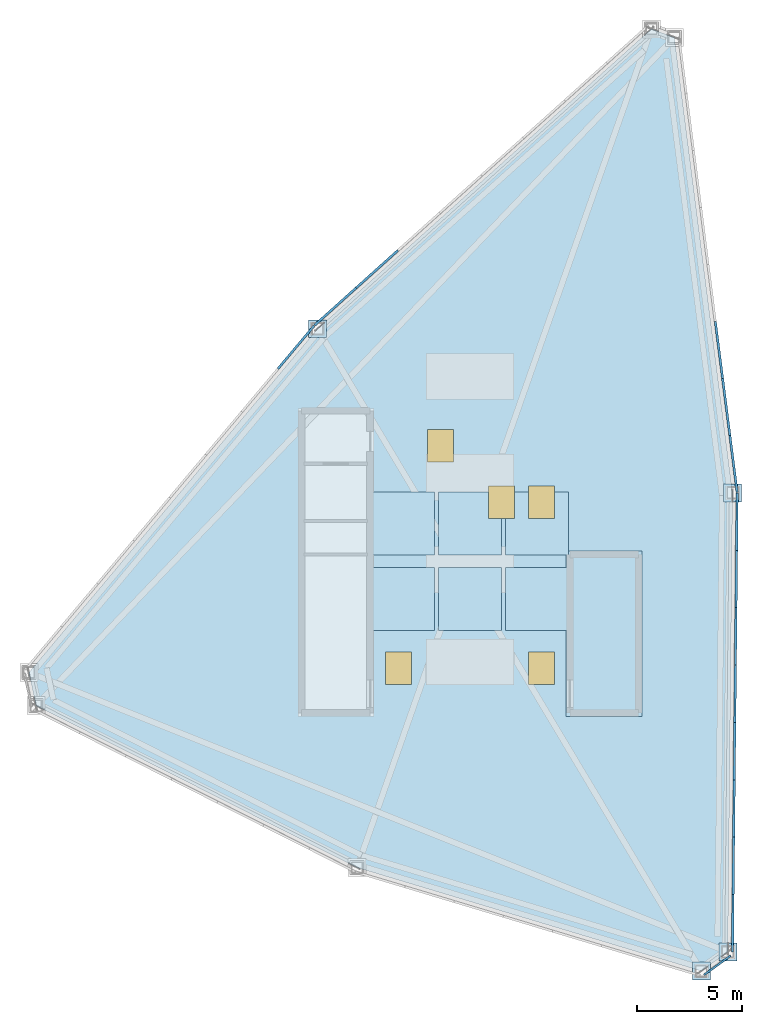
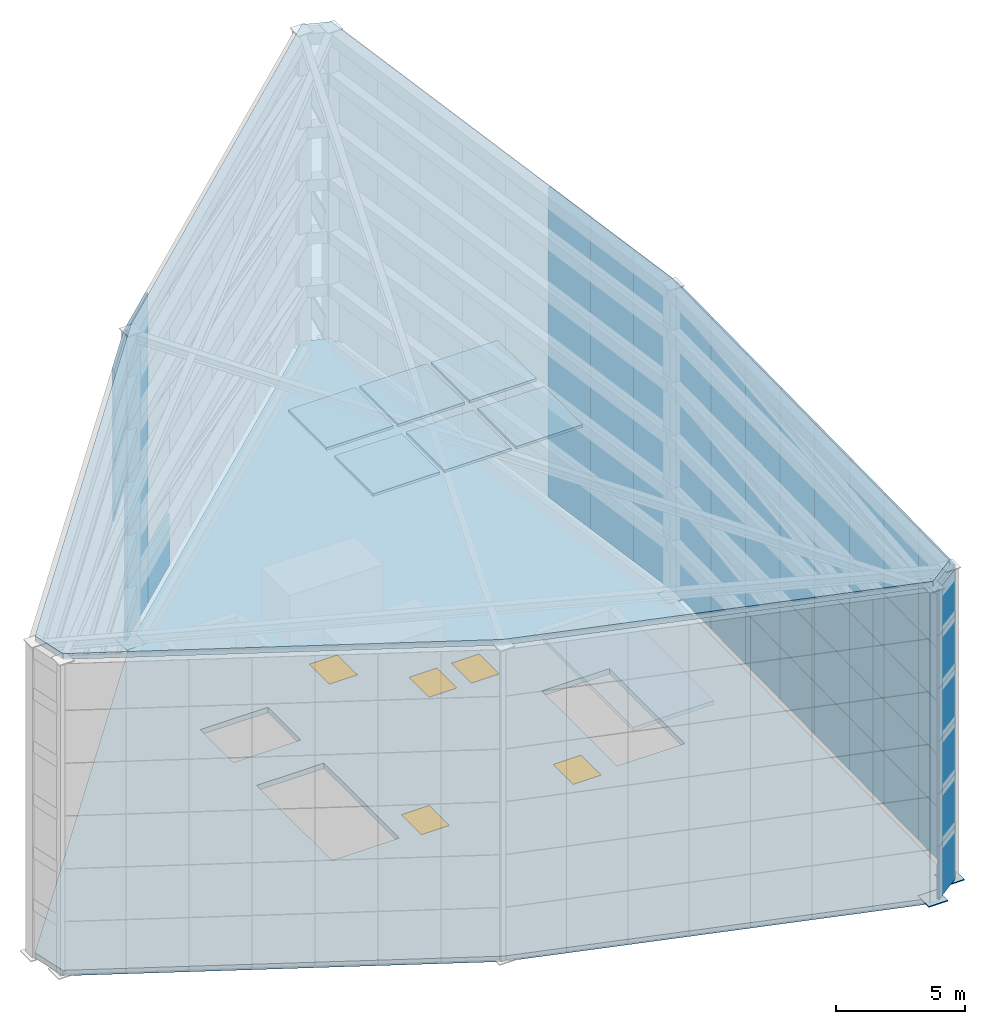
# One storey, part 3 of 9: 92 plates, 5 windows, 3 slabs, 5 openings.
"""IFC4 building model written with IfcOpenShell, lengths in metres."""

from ifc_helpers import new_model, si_unit, direction, frame, origin, origin_2d, place, context, subcontext, project, spatial, polyline, rectangle, outline, extrude, source, transform, mapped, material, layer, layer_set, type_object, element, fill, save


model = new_model("IFC4")

# Units and contexts
model_context = context("Model", 3, precision=1e-05, world=origin(), true_north=direction((0.0, 1.0)))
body_context = subcontext(model_context, "Body", "Model", "MODEL_VIEW")
ifc_project = project(units=[si_unit("LENGTHUNIT", "METRE"), si_unit("AREAUNIT", "SQUARE_METRE"), si_unit("VOLUMEUNIT", "CUBIC_METRE"), si_unit("PLANEANGLEUNIT", "RADIAN"), si_unit("MASSUNIT", "GRAM", prefix="KILO")], contexts=[model_context])

# Site, building, storey
site_placement = place(None, origin())
site = spatial("IfcSite", under=ifc_project, at=site_placement, CompositionType="ELEMENT")
building_placement = place(site_placement, origin())
building = spatial("IfcBuilding", under=site, at=building_placement, Name="Olszyna Solenne Hotel", CompositionType="ELEMENT")
storey_placement = place(building_placement, frame((0.0, 0.0, 295.0)))
storey = spatial("IfcBuildingStorey", under=building, at=storey_placement, Name="Roof Crown", CompositionType="ELEMENT", Elevation=295.0)

# Slabs
ifc_material_1 = material(Name="Concrete C40/50", Category="concrete")
ifc_layer_1 = layer(ifc_material_1, 0.18994140625, Name="Concrete C40/50")
ifc_layer_set_1 = layer_set([ifc_layer_1], Name="Concrete C40/50")
slab_type_1 = type_object("IfcSlabType", Name="SL-LN190", PredefinedType="LANDING", material=ifc_layer_set_1)
slab_1_placement = place(storey_placement, frame((0.0, 0.0, 2.800048828125)))
element("IfcSlab", 1, at=slab_1_placement, inside=storey, type_object=slab_type_1, Name="Stair ST2 bulkhead top cap slab SL-CRN-ST2", PredefinedType="LANDING", context=body_context, shape_type="SweptSolid", body=[
    extrude(outline(polyline([(42.580078125, 19.199951171875), (46.199951171875, 19.199951171875), (46.199951171875, 27.10009765625), (42.580078125, 27.10009765625), (42.580078125, 19.199951171875)])), origin(), (0.0, 0.0, 1.0), 0.18994140625),
])
ifc_material_2 = material(Name="Concrete C50/60", Category="concrete")
ifc_layer_2 = layer(ifc_material_2, 0.280029296875, Name="Concrete C50/60")
ifc_layer_set_2 = layer_set([ifc_layer_2], Name="Concrete C50/60")
slab_type_2 = type_object("IfcSlabType", Name="SL-OB280", PredefinedType="FLOOR", material=ifc_layer_set_2)
slab_2_placement = place(storey_placement, frame((0.0, 0.0, 14.719970703125)))
element("IfcSlab", 2, at=slab_2_placement, inside=storey, type_object=slab_type_2, Name="Crown structural top cap deck SL-CRN-347", PredefinedType="FLOOR", context=body_context, shape_type="SweptSolid", body=[
    extrude(outline(polyline([(47.73046875, 51.541015625), (46.6376953125, 51.9462890625), (30.739990234375, 37.668212890625), (16.998779296875, 21.30419921875), (17.33740234375, 19.724609375), (32.621337890625, 12.012451171875), (49.016845703125, 7.0869140625), (50.27880859375, 7.9970703125), (50.502197265625, 29.856689453125), (47.73046875, 51.541015625)])), origin(), (0.0, 0.0, 1.0), 0.280029296875),
])

# Slab, openings, windows
ifc_layer_3 = layer(ifc_material_2, 0.260009765625, Name="Concrete C50/60")
ifc_layer_set_3 = layer_set([ifc_layer_3], Name="Concrete C50/60")
slab_type_3 = type_object("IfcSlabType", Name="SL-RF260", PredefinedType="ROOF", material=ifc_layer_set_3)
slab_3_placement = place(storey_placement, frame((0.0, 0.0, -0.260009765625)))
slab_3 = element("IfcSlab", 3, at=slab_3_placement, inside=storey, type_object=slab_type_3, Name="Main tower roof deck slab SL-L77-RF", PredefinedType="ROOF", context=body_context, shape_type="SweptSolid", body=[
    extrude(outline(polyline([(47.73046875, 51.541015625), (46.6376953125, 51.9462890625), (30.739990234375, 37.668212890625), (16.998779296875, 21.30419921875), (17.33740234375, 19.724609375), (32.621337890625, 12.012451171875), (49.016845703125, 7.0869140625), (50.27880859375, 7.9970703125), (50.502197265625, 29.856689453125), (47.73046875, 51.541015625)]), holes=[polyline([(30.10009765625, 20.949951171875), (33.1201171875, 20.949951171875), (33.1201171875, 26.800048828125), (30.10009765625, 26.800048828125), (30.10009765625, 20.949951171875)]), polyline([(42.8798828125, 20.949951171875), (45.89990234375, 20.949951171875), (45.89990234375, 26.800048828125), (42.8798828125, 26.800048828125), (42.8798828125, 20.949951171875)]), polyline([(30.10009765625, 28.60009765625), (33.1201171875, 28.60009765625), (33.1201171875, 31.159912109375), (30.10009765625, 31.159912109375), (30.10009765625, 28.60009765625)]), polyline([(33.97509765625, 20.72509765625), (35.22509765625, 20.72509765625), (35.22509765625, 22.27490234375), (33.97509765625, 22.27490234375), (33.97509765625, 20.72509765625)]), polyline([(40.77490234375, 20.72509765625), (42.02490234375, 20.72509765625), (42.02490234375, 22.27490234375), (40.77490234375, 22.27490234375), (40.77490234375, 20.72509765625)]), polyline([(35.97509765625, 31.324951171875), (37.22509765625, 31.324951171875), (37.22509765625, 32.875), (35.97509765625, 32.875), (35.97509765625, 31.324951171875)]), polyline([(38.875, 28.625), (40.125, 28.625), (40.125, 30.175048828125), (38.875, 30.175048828125), (38.875, 28.625)]), polyline([(40.77490234375, 28.625), (42.02490234375, 28.625), (42.02490234375, 30.175048828125), (40.77490234375, 30.175048828125), (40.77490234375, 28.625)])]), origin(), (0.0, 0.0, 1.0), 0.260009765625),
])
opening_1_placement = place(slab_3_placement, frame((34.60009765625, 21.5, 0.0)))
opening_1 = element("IfcOpeningElement", 4, at=opening_1_placement, cuts=slab_3, Name="Opening RH-CRN-01", PredefinedType="OPENING", context=body_context, shape_type="SweptSolid", body=[
    extrude(rectangle(XDim=1.25, YDim=1.550048828125, at=origin_2d()), origin(), (0.0, 0.0, 1.0), 0.260009765625),
])
opening_2_placement = place(slab_3_placement, frame((41.39990234375, 21.5, 0.0)))
opening_2 = element("IfcOpeningElement", 5, at=opening_2_placement, cuts=slab_3, Name="Opening RH-CRN-02", PredefinedType="OPENING", context=body_context, shape_type="SweptSolid", body=[
    extrude(rectangle(XDim=1.25, YDim=1.550048828125, at=origin_2d()), origin(), (0.0, 0.0, 1.0), 0.260009765625),
])
opening_3_placement = place(slab_3_placement, frame((36.60009765625, 32.10009765625, 0.0)))
opening_3 = element("IfcOpeningElement", 6, at=opening_3_placement, cuts=slab_3, Name="Opening RH-CRN-03", PredefinedType="OPENING", context=body_context, shape_type="SweptSolid", body=[
    extrude(rectangle(XDim=1.25, YDim=1.550048828125, at=origin_2d()), origin(), (0.0, 0.0, 1.0), 0.260009765625),
])
opening_4_placement = place(slab_3_placement, frame((39.5, 29.39990234375, 0.0)))
opening_4 = element("IfcOpeningElement", 7, at=opening_4_placement, cuts=slab_3, Name="Opening RH-CRN-04", PredefinedType="OPENING", context=body_context, shape_type="SweptSolid", body=[
    extrude(rectangle(XDim=1.25, YDim=1.550048828125, at=origin_2d()), origin(), (0.0, 0.0, 1.0), 0.260009765625),
])
opening_5_placement = place(slab_3_placement, frame((41.39990234375, 29.39990234375, 0.0)))
opening_5 = element("IfcOpeningElement", 8, at=opening_5_placement, cuts=slab_3, Name="Opening RH-CRN-05", PredefinedType="OPENING", context=body_context, shape_type="SweptSolid", body=[
    extrude(rectangle(XDim=1.25, YDim=1.550048828125, at=origin_2d()), origin(), (0.0, 0.0, 1.0), 0.260009765625),
])
ifc_material_3 = material(Name="Anodised bronze aluminium", Category="aluminium")
window_type = type_object("IfcWindowType", Name="SK-RH1", PartitioningType="SINGLE_PANEL", PredefinedType="SKYLIGHT", material=ifc_material_3)
window_1_placement = place(opening_1_placement, frame((0.0, 0.0, 0.2099609375)))
window_1 = element("IfcWindow", 9, at=window_1_placement, inside=storey, type_object=window_type, Name="Smoke-vent and overrun roof hatch SK-RH1 RH-CRN-01", OverallHeight=1.550048828125, OverallWidth=1.25, PartitioningType="SINGLE_PANEL", PredefinedType="SKYLIGHT", context=body_context, shape_type="SweptSolid", body=[
    extrude(rectangle(XDim=1.25, YDim=1.550048828125, at=origin_2d()), origin(), (0.0, 0.0, 1.0), 0.050048828125),
])
fill(opening_1, window_1)
window_2_placement = place(opening_2_placement, frame((0.0, 0.0, 0.2099609375)))
window_2 = element("IfcWindow", 10, at=window_2_placement, inside=storey, type_object=window_type, Name="Smoke-vent and overrun roof hatch SK-RH1 RH-CRN-02", OverallHeight=1.550048828125, OverallWidth=1.25, PartitioningType="SINGLE_PANEL", PredefinedType="SKYLIGHT", context=body_context, shape_type="SweptSolid", body=[
    extrude(rectangle(XDim=1.25, YDim=1.550048828125, at=origin_2d()), origin(), (0.0, 0.0, 1.0), 0.050048828125),
])
fill(opening_2, window_2)
window_3_placement = place(opening_3_placement, frame((0.0, 0.0, 0.2099609375)))
window_3 = element("IfcWindow", 11, at=window_3_placement, inside=storey, type_object=window_type, Name="Smoke-vent and overrun roof hatch SK-RH1 RH-CRN-03", OverallHeight=1.550048828125, OverallWidth=1.25, PartitioningType="SINGLE_PANEL", PredefinedType="SKYLIGHT", context=body_context, shape_type="SweptSolid", body=[
    extrude(rectangle(XDim=1.25, YDim=1.550048828125, at=origin_2d()), origin(), (0.0, 0.0, 1.0), 0.050048828125),
])
fill(opening_3, window_3)
window_4_placement = place(opening_4_placement, frame((0.0, 0.0, 0.2099609375)))
window_4 = element("IfcWindow", 12, at=window_4_placement, inside=storey, type_object=window_type, Name="Smoke-vent and overrun roof hatch SK-RH1 RH-CRN-04", OverallHeight=1.550048828125, OverallWidth=1.25, PartitioningType="SINGLE_PANEL", PredefinedType="SKYLIGHT", context=body_context, shape_type="SweptSolid", body=[
    extrude(rectangle(XDim=1.25, YDim=1.550048828125, at=origin_2d()), origin(), (0.0, 0.0, 1.0), 0.050048828125),
])
fill(opening_4, window_4)
window_5_placement = place(opening_5_placement, frame((0.0, 0.0, 0.2099609375)))
window_5 = element("IfcWindow", 13, at=window_5_placement, inside=storey, type_object=window_type, Name="Smoke-vent and overrun roof hatch SK-RH1 RH-CRN-05", OverallHeight=1.550048828125, OverallWidth=1.25, PartitioningType="SINGLE_PANEL", PredefinedType="SKYLIGHT", context=body_context, shape_type="SweptSolid", body=[
    extrude(rectangle(XDim=1.25, YDim=1.550048828125, at=origin_2d()), origin(), (0.0, 0.0, 1.0), 0.050048828125),
])
fill(opening_5, window_5)

# Plates
ifc_material_4 = material(Name="Steel S460M", Category="steel")
plate_type_1 = type_object("IfcPlateType", Name="GP-BP1", PredefinedType="USERDEFINED", material=ifc_material_4)
shared_shape_1 = source(origin(), body_context, "Body", "SweptSolid", [
    extrude(rectangle(XDim=0.85009765625, YDim=0.85009765625, at=origin_2d()), origin(), (0.0, 0.0, 1.0), 0.050048828125),
])
for number, where, z_axis, x_axis, name in (
    (14, (30.739990234375, 37.668212890625, -0.0498046875), (0.0, 0.0, 1.0), (1.0, 0.0, 0.0), "Crown frame baseplate GP-BP1 BP-CF-03"),
    (15, (49.016845703125, 7.0869140625, -0.0498046875), (0.0, 0.0, 1.0), (1.0, 0.0, 0.0), "Crown frame baseplate GP-BP1 BP-CF-07"),
    (16, (50.27880859375, 7.9970703125, -0.0498046875), (0.0, 0.0, 1.0), (1.0, 0.0, 0.0), "Crown frame baseplate GP-BP1 BP-CF-08"),
    (17, (50.502197265625, 29.856689453125, -0.0498046875), (0.0, 0.0, 1.0), (1.0, 0.0, 0.0), "Crown frame baseplate GP-BP1 BP-CF-09"),
):
    element("IfcPlate", number, at=place(storey_placement, frame(where, z_axis=z_axis, x_axis=x_axis)), inside=storey, type_object=plate_type_1, Name=name, ObjectType="GUSSET_PLATE", PredefinedType="USERDEFINED", context=body_context, shape_type="MappedRepresentation", body=[
        mapped(shared_shape_1, transform((0.0, 0.0, 0.0), x_axis=(1.0, 0.0, 0.0), y_axis=(0.0, 1.0, 0.0), z_axis=(0.0, 0.0, 1.0), scale=1.0)),
    ])
plate_type_2 = type_object("IfcPlateType", Name="SC-RF1", PredefinedType="USERDEFINED", material=ifc_material_3)
shared_shape_2 = source(origin(), body_context, "Body", "SweptSolid", [
    extrude(rectangle(XDim=3.0, YDim=3.0, at=origin_2d()), origin(), (0.0, 0.0, 1.0), 0.1298828125),
])
for number, where, z_axis, x_axis, name in (
    (18, (34.800048828125, 24.800048828125, 14.675048828125), (0.0, 0.0, 1.0), (1.0, 0.0, 0.0), "Crown top acoustic weather-louvre grille SCR-TOP-01"),
    (19, (38.0, 24.800048828125, 14.675048828125), (0.0, 0.0, 1.0), (1.0, 0.0, 0.0), "Crown top acoustic weather-louvre grille SCR-TOP-02"),
    (20, (41.199951171875, 24.800048828125, 14.675048828125), (0.0, 0.0, 1.0), (1.0, 0.0, 0.0), "Crown top acoustic weather-louvre grille SCR-TOP-03"),
    (21, (34.800048828125, 28.39990234375, 14.675048828125), (0.0, 0.0, 1.0), (1.0, 0.0, 0.0), "Crown top acoustic weather-louvre grille SCR-TOP-04"),
    (22, (38.0, 28.39990234375, 14.675048828125), (0.0, 0.0, 1.0), (1.0, 0.0, 0.0), "Crown top acoustic weather-louvre grille SCR-TOP-05"),
    (23, (41.199951171875, 28.39990234375, 14.675048828125), (0.0, 0.0, 1.0), (1.0, 0.0, 0.0), "Crown top acoustic weather-louvre grille SCR-TOP-06"),
):
    element("IfcPlate", number, at=place(storey_placement, frame(where, z_axis=z_axis, x_axis=x_axis)), inside=storey, type_object=plate_type_2, Name=name, ObjectType="SCREEN_PLATE", PredefinedType="USERDEFINED", context=body_context, shape_type="MappedRepresentation", body=[
        mapped(shared_shape_2, transform((0.0, 0.0, 0.0), x_axis=(1.0, 0.0, 0.0), y_axis=(0.0, 1.0, 0.0), z_axis=(0.0, 0.0, 1.0), scale=1.0)),
    ])
ifc_material_5 = material(Name="Terracotta cladding", Category="masonry")
plate_type_3 = type_object("IfcPlateType", Name="SC-CR1", PredefinedType="USERDEFINED", material=ifc_material_5)
shared_shape_3 = source(origin(), body_context, "Body", "SweptSolid", [
    extrude(rectangle(XDim=2.732666015625, YDim=0.110107421875, at=origin_2d()), origin(), (0.0, 0.0, 1.0), 2.47998046875),
])
for number, where, z_axis, x_axis, name in (
    (24, (50.7080078125, 28.48828125, 0.010009765625), (0.0, 0.0, 1.0), (-0.010297260602, -0.999946981807, 0.0), "Terracotta perforated crown screen panel SC-CR1 SCR-T1-001"),
    (25, (50.680419921875, 25.755859375, 0.010009765625), (0.0, 0.0, 1.0), (-0.010297260602, -0.999946981807, 0.0), "Terracotta perforated crown screen panel SC-CR1 SCR-T1-002"),
    (26, (50.65234375, 23.0234375, 0.010009765625), (0.0, 0.0, 1.0), (-0.010297260602, -0.999946981807, 0.0), "Terracotta perforated crown screen panel SC-CR1 SCR-T1-003"),
    (27, (50.62451171875, 20.291015625, 0.010009765625), (0.0, 0.0, 1.0), (-0.010297260602, -0.999946981807, 0.0), "Terracotta perforated crown screen panel SC-CR1 SCR-T1-004"),
    (28, (50.5966796875, 17.55859375, 0.010009765625), (0.0, 0.0, 1.0), (-0.010297260602, -0.999946981807, 0.0), "Terracotta perforated crown screen panel SC-CR1 SCR-T1-005"),
    (29, (50.568603515625, 14.825927734375, 0.010009765625), (0.0, 0.0, 1.0), (-0.010297260602, -0.999946981807, 0.0), "Terracotta perforated crown screen panel SC-CR1 SCR-T1-006"),
    (30, (50.540771484375, 12.093505859375, 0.010009765625), (0.0, 0.0, 1.0), (-0.010297260602, -0.999946981807, 0.0), "Terracotta perforated crown screen panel SC-CR1 SCR-T1-007"),
    (31, (50.512939453125, 9.361083984375, 0.010009765625), (0.0, 0.0, 1.0), (-0.010297260602, -0.999946981807, 0.0), "Terracotta perforated crown screen panel SC-CR1 SCR-T1-008"),
    (32, (50.7080078125, 28.48828125, 2.510009765625), (0.0, 0.0, 1.0), (-0.010297260602, -0.999946981807, 0.0), "Terracotta perforated crown screen panel SC-CR1 SCR-T2-009"),
    (33, (50.680419921875, 25.755859375, 2.510009765625), (0.0, 0.0, 1.0), (-0.010297260602, -0.999946981807, 0.0), "Terracotta perforated crown screen panel SC-CR1 SCR-T2-010"),
    (34, (50.65234375, 23.0234375, 2.510009765625), (0.0, 0.0, 1.0), (-0.010297260602, -0.999946981807, 0.0), "Terracotta perforated crown screen panel SC-CR1 SCR-T2-011"),
    (35, (50.62451171875, 20.291015625, 2.510009765625), (0.0, 0.0, 1.0), (-0.010297260602, -0.999946981807, 0.0), "Terracotta perforated crown screen panel SC-CR1 SCR-T2-012"),
    (36, (50.5966796875, 17.55859375, 2.510009765625), (0.0, 0.0, 1.0), (-0.010297260602, -0.999946981807, 0.0), "Terracotta perforated crown screen panel SC-CR1 SCR-T2-013"),
    (37, (50.568603515625, 14.825927734375, 2.510009765625), (0.0, 0.0, 1.0), (-0.010297260602, -0.999946981807, 0.0), "Terracotta perforated crown screen panel SC-CR1 SCR-T2-014"),
    (38, (50.540771484375, 12.093505859375, 2.510009765625), (0.0, 0.0, 1.0), (-0.010297260602, -0.999946981807, 0.0), "Terracotta perforated crown screen panel SC-CR1 SCR-T2-015"),
    (39, (50.512939453125, 9.361083984375, 2.510009765625), (0.0, 0.0, 1.0), (-0.010297260602, -0.999946981807, 0.0), "Terracotta perforated crown screen panel SC-CR1 SCR-T2-016"),
    (40, (50.7080078125, 28.48828125, 5.010009765625), (0.0, 0.0, 1.0), (-0.010297260602, -0.999946981807, 0.0), "Terracotta perforated crown screen panel SC-CR1 SCR-T3-017"),
    (41, (50.680419921875, 25.755859375, 5.010009765625), (0.0, 0.0, 1.0), (-0.010297260602, -0.999946981807, 0.0), "Terracotta perforated crown screen panel SC-CR1 SCR-T3-018"),
    (42, (50.65234375, 23.0234375, 5.010009765625), (0.0, 0.0, 1.0), (-0.010297260602, -0.999946981807, 0.0), "Terracotta perforated crown screen panel SC-CR1 SCR-T3-019"),
    (43, (50.62451171875, 20.291015625, 5.010009765625), (0.0, 0.0, 1.0), (-0.010297260602, -0.999946981807, 0.0), "Terracotta perforated crown screen panel SC-CR1 SCR-T3-020"),
    (44, (50.5966796875, 17.55859375, 5.010009765625), (0.0, 0.0, 1.0), (-0.010297260602, -0.999946981807, 0.0), "Terracotta perforated crown screen panel SC-CR1 SCR-T3-021"),
    (45, (50.568603515625, 14.825927734375, 5.010009765625), (0.0, 0.0, 1.0), (-0.010297260602, -0.999946981807, 0.0), "Terracotta perforated crown screen panel SC-CR1 SCR-T3-022"),
    (46, (50.540771484375, 12.093505859375, 5.010009765625), (0.0, 0.0, 1.0), (-0.010297260602, -0.999946981807, 0.0), "Terracotta perforated crown screen panel SC-CR1 SCR-T3-023"),
    (47, (50.512939453125, 9.361083984375, 5.010009765625), (0.0, 0.0, 1.0), (-0.010297260602, -0.999946981807, 0.0), "Terracotta perforated crown screen panel SC-CR1 SCR-T3-024"),
    (48, (50.7080078125, 28.48828125, 7.510009765625), (0.0, 0.0, 1.0), (-0.010297260602, -0.999946981807, 0.0), "Terracotta perforated crown screen panel SC-CR1 SCR-T4-025"),
    (49, (50.680419921875, 25.755859375, 7.510009765625), (0.0, 0.0, 1.0), (-0.010297260602, -0.999946981807, 0.0), "Terracotta perforated crown screen panel SC-CR1 SCR-T4-026"),
    (50, (50.65234375, 23.0234375, 7.510009765625), (0.0, 0.0, 1.0), (-0.010297260602, -0.999946981807, 0.0), "Terracotta perforated crown screen panel SC-CR1 SCR-T4-027"),
    (51, (50.62451171875, 20.291015625, 7.510009765625), (0.0, 0.0, 1.0), (-0.010297260602, -0.999946981807, 0.0), "Terracotta perforated crown screen panel SC-CR1 SCR-T4-028"),
    (52, (50.5966796875, 17.55859375, 7.510009765625), (0.0, 0.0, 1.0), (-0.010297260602, -0.999946981807, 0.0), "Terracotta perforated crown screen panel SC-CR1 SCR-T4-029"),
    (53, (50.568603515625, 14.825927734375, 7.510009765625), (0.0, 0.0, 1.0), (-0.010297260602, -0.999946981807, 0.0), "Terracotta perforated crown screen panel SC-CR1 SCR-T4-030"),
    (54, (50.540771484375, 12.093505859375, 7.510009765625), (0.0, 0.0, 1.0), (-0.010297260602, -0.999946981807, 0.0), "Terracotta perforated crown screen panel SC-CR1 SCR-T4-031"),
    (55, (50.512939453125, 9.361083984375, 7.510009765625), (0.0, 0.0, 1.0), (-0.010297260602, -0.999946981807, 0.0), "Terracotta perforated crown screen panel SC-CR1 SCR-T4-032"),
    (56, (50.7080078125, 28.48828125, 10.010009765625), (0.0, 0.0, 1.0), (-0.010297260602, -0.999946981807, 0.0), "Terracotta perforated crown screen panel SC-CR1 SCR-T5-033"),
    (57, (50.680419921875, 25.755859375, 10.010009765625), (0.0, 0.0, 1.0), (-0.010297260602, -0.999946981807, 0.0), "Terracotta perforated crown screen panel SC-CR1 SCR-T5-034"),
    (58, (50.65234375, 23.0234375, 10.010009765625), (0.0, 0.0, 1.0), (-0.010297260602, -0.999946981807, 0.0), "Terracotta perforated crown screen panel SC-CR1 SCR-T5-035"),
    (59, (50.62451171875, 20.291015625, 10.010009765625), (0.0, 0.0, 1.0), (-0.010297260602, -0.999946981807, 0.0), "Terracotta perforated crown screen panel SC-CR1 SCR-T5-036"),
    (60, (50.5966796875, 17.55859375, 10.010009765625), (0.0, 0.0, 1.0), (-0.010297260602, -0.999946981807, 0.0), "Terracotta perforated crown screen panel SC-CR1 SCR-T5-037"),
    (61, (50.568603515625, 14.825927734375, 10.010009765625), (0.0, 0.0, 1.0), (-0.010297260602, -0.999946981807, 0.0), "Terracotta perforated crown screen panel SC-CR1 SCR-T5-038"),
    (62, (50.540771484375, 12.093505859375, 10.010009765625), (0.0, 0.0, 1.0), (-0.010297260602, -0.999946981807, 0.0), "Terracotta perforated crown screen panel SC-CR1 SCR-T5-039"),
    (63, (50.512939453125, 9.361083984375, 10.010009765625), (0.0, 0.0, 1.0), (-0.010297260602, -0.999946981807, 0.0), "Terracotta perforated crown screen panel SC-CR1 SCR-T5-040"),
    (64, (49.85400390625, 36.660888671875, 0.010009765625), (0.0, 0.0, 1.0), (0.12671836439, -0.991938736075, 0.0), "Terracotta perforated crown screen panel SC-CR1 SCR-T1-246"),
    (65, (50.20068359375, 33.950439453125, 0.010009765625), (0.0, 0.0, 1.0), (0.12671836439, -0.991938736075, 0.0), "Terracotta perforated crown screen panel SC-CR1 SCR-T1-247"),
    (66, (50.547119140625, 31.239990234375, 0.010009765625), (0.0, 0.0, 1.0), (0.12671836439, -0.991938736075, 0.0), "Terracotta perforated crown screen panel SC-CR1 SCR-T1-248"),
    (67, (49.85400390625, 36.660888671875, 2.510009765625), (0.0, 0.0, 1.0), (0.12671836439, -0.991938736075, 0.0), "Terracotta perforated crown screen panel SC-CR1 SCR-T2-254"),
    (68, (50.20068359375, 33.950439453125, 2.510009765625), (0.0, 0.0, 1.0), (0.12671836439, -0.991938736075, 0.0), "Terracotta perforated crown screen panel SC-CR1 SCR-T2-255"),
    (69, (50.547119140625, 31.239990234375, 2.510009765625), (0.0, 0.0, 1.0), (0.12671836439, -0.991938736075, 0.0), "Terracotta perforated crown screen panel SC-CR1 SCR-T2-256"),
    (70, (49.85400390625, 36.660888671875, 5.010009765625), (0.0, 0.0, 1.0), (0.12671836439, -0.991938736075, 0.0), "Terracotta perforated crown screen panel SC-CR1 SCR-T3-262"),
    (71, (50.20068359375, 33.950439453125, 5.010009765625), (0.0, 0.0, 1.0), (0.12671836439, -0.991938736075, 0.0), "Terracotta perforated crown screen panel SC-CR1 SCR-T3-263"),
    (72, (50.547119140625, 31.239990234375, 5.010009765625), (0.0, 0.0, 1.0), (0.12671836439, -0.991938736075, 0.0), "Terracotta perforated crown screen panel SC-CR1 SCR-T3-264"),
    (73, (49.85400390625, 36.660888671875, 7.510009765625), (0.0, 0.0, 1.0), (0.12671836439, -0.991938736075, 0.0), "Terracotta perforated crown screen panel SC-CR1 SCR-T4-270"),
    (74, (50.20068359375, 33.950439453125, 7.510009765625), (0.0, 0.0, 1.0), (0.12671836439, -0.991938736075, 0.0), "Terracotta perforated crown screen panel SC-CR1 SCR-T4-271"),
    (75, (50.547119140625, 31.239990234375, 7.510009765625), (0.0, 0.0, 1.0), (0.12671836439, -0.991938736075, 0.0), "Terracotta perforated crown screen panel SC-CR1 SCR-T4-272"),
    (76, (49.85400390625, 36.660888671875, 10.010009765625), (0.0, 0.0, 1.0), (0.12671836439, -0.991938736075, 0.0), "Terracotta perforated crown screen panel SC-CR1 SCR-T5-278"),
    (77, (50.20068359375, 33.950439453125, 10.010009765625), (0.0, 0.0, 1.0), (0.12671836439, -0.991938736075, 0.0), "Terracotta perforated crown screen panel SC-CR1 SCR-T5-279"),
    (78, (50.547119140625, 31.239990234375, 10.010009765625), (0.0, 0.0, 1.0), (0.12671836439, -0.991938736075, 0.0), "Terracotta perforated crown screen panel SC-CR1 SCR-T5-280"),
):
    element("IfcPlate", number, at=place(storey_placement, frame(where, z_axis=z_axis, x_axis=x_axis)), inside=storey, type_object=plate_type_3, Name=name, ObjectType="SCREEN_PLATE", PredefinedType="USERDEFINED", context=body_context, shape_type="MappedRepresentation", body=[
        mapped(shared_shape_3, transform((0.0, 0.0, 0.0), x_axis=(1.0, 0.0, 0.0), y_axis=(0.0, 1.0, 0.0), z_axis=(0.0, 0.0, 1.0), scale=1.0)),
    ])
shared_shape_4 = source(origin(), body_context, "Body", "SweptSolid", [
    extrude(rectangle(XDim=2.732666015625, YDim=0.110107421875, at=origin_2d()), origin(), (0.0, 0.0, 1.0), 2.199951171875),
])
for number, where, z_axis, x_axis, name in (
    (79, (50.7080078125, 28.48828125, 12.51025390625), (0.0, 0.0, 1.0), (-0.010297260602, -0.999946981807, 0.0), "Terracotta perforated crown screen panel SC-CR1 SCR-T6-041"),
    (80, (50.680419921875, 25.755859375, 12.51025390625), (0.0, 0.0, 1.0), (-0.010297260602, -0.999946981807, 0.0), "Terracotta perforated crown screen panel SC-CR1 SCR-T6-042"),
    (81, (50.65234375, 23.0234375, 12.51025390625), (0.0, 0.0, 1.0), (-0.010297260602, -0.999946981807, 0.0), "Terracotta perforated crown screen panel SC-CR1 SCR-T6-043"),
    (82, (50.62451171875, 20.291015625, 12.51025390625), (0.0, 0.0, 1.0), (-0.010297260602, -0.999946981807, 0.0), "Terracotta perforated crown screen panel SC-CR1 SCR-T6-044"),
    (83, (50.5966796875, 17.55859375, 12.51025390625), (0.0, 0.0, 1.0), (-0.010297260602, -0.999946981807, 0.0), "Terracotta perforated crown screen panel SC-CR1 SCR-T6-045"),
    (84, (50.568603515625, 14.825927734375, 12.51025390625), (0.0, 0.0, 1.0), (-0.010297260602, -0.999946981807, 0.0), "Terracotta perforated crown screen panel SC-CR1 SCR-T6-046"),
    (85, (50.540771484375, 12.093505859375, 12.51025390625), (0.0, 0.0, 1.0), (-0.010297260602, -0.999946981807, 0.0), "Terracotta perforated crown screen panel SC-CR1 SCR-T6-047"),
    (86, (50.512939453125, 9.361083984375, 12.51025390625), (0.0, 0.0, 1.0), (-0.010297260602, -0.999946981807, 0.0), "Terracotta perforated crown screen panel SC-CR1 SCR-T6-048"),
    (87, (49.85400390625, 36.660888671875, 12.51025390625), (0.0, 0.0, 1.0), (0.12671836439, -0.991938736075, 0.0), "Terracotta perforated crown screen panel SC-CR1 SCR-T6-286"),
    (88, (50.20068359375, 33.950439453125, 12.51025390625), (0.0, 0.0, 1.0), (0.12671836439, -0.991938736075, 0.0), "Terracotta perforated crown screen panel SC-CR1 SCR-T6-287"),
    (89, (50.547119140625, 31.239990234375, 12.51025390625), (0.0, 0.0, 1.0), (0.12671836439, -0.991938736075, 0.0), "Terracotta perforated crown screen panel SC-CR1 SCR-T6-288"),
):
    element("IfcPlate", number, at=place(storey_placement, frame(where, z_axis=z_axis, x_axis=x_axis)), inside=storey, type_object=plate_type_3, Name=name, ObjectType="SCREEN_PLATE", PredefinedType="USERDEFINED", context=body_context, shape_type="MappedRepresentation", body=[
        mapped(shared_shape_4, transform((0.0, 0.0, 0.0), x_axis=(1.0, 0.0, 0.0), y_axis=(0.0, 1.0, 0.0), z_axis=(0.0, 0.0, 1.0), scale=1.0)),
    ])
plate_type_4 = type_object("IfcPlateType", Name="SC-CR2", PredefinedType="USERDEFINED", material=ifc_material_5)
shared_shape_5 = source(origin(), body_context, "Body", "SweptSolid", [
    extrude(rectangle(XDim=1.55615234375, YDim=0.090087890625, at=origin_2d()), origin(), (0.0, 0.0, 1.0), 2.47998046875),
])
for number, where, z_axis, x_axis, name in (
    (90, (49.776611328125, 7.363525390625, 0.010009765625), (0.0, 0.0, 1.0), (-0.811063818989, -0.584957674987, 0.0), "Terracotta perforated crown screen panel SC-CR2 SCR-T1-049"),
    (91, (49.776611328125, 7.363525390625, 2.510009765625), (0.0, 0.0, 1.0), (-0.811063818989, -0.584957674987, 0.0), "Terracotta perforated crown screen panel SC-CR2 SCR-T2-050"),
    (92, (49.776611328125, 7.363525390625, 5.010009765625), (0.0, 0.0, 1.0), (-0.811063818989, -0.584957674987, 0.0), "Terracotta perforated crown screen panel SC-CR2 SCR-T3-051"),
    (93, (49.776611328125, 7.363525390625, 7.510009765625), (0.0, 0.0, 1.0), (-0.811063818989, -0.584957674987, 0.0), "Terracotta perforated crown screen panel SC-CR2 SCR-T4-052"),
    (94, (49.776611328125, 7.363525390625, 10.010009765625), (0.0, 0.0, 1.0), (-0.811063818989, -0.584957674987, 0.0), "Terracotta perforated crown screen panel SC-CR2 SCR-T5-053"),
):
    element("IfcPlate", number, at=place(storey_placement, frame(where, z_axis=z_axis, x_axis=x_axis)), inside=storey, type_object=plate_type_4, Name=name, ObjectType="SCREEN_PLATE", PredefinedType="USERDEFINED", context=body_context, shape_type="MappedRepresentation", body=[
        mapped(shared_shape_5, transform((0.0, 0.0, 0.0), x_axis=(1.0, 0.0, 0.0), y_axis=(0.0, 1.0, 0.0), z_axis=(0.0, 0.0, 1.0), scale=1.0)),
    ])
shared_shape_6 = source(origin(), body_context, "Body", "SweptSolid", [
    extrude(rectangle(XDim=1.55615234375, YDim=0.090087890625, at=origin_2d()), origin(), (0.0, 0.0, 1.0), 2.199951171875),
])
plate_placement = place(storey_placement, frame((49.776611328125, 7.363525390625, 12.51025390625), z_axis=(0.0, 0.0, 1.0), x_axis=(-0.811063818989, -0.584957674987, 0.0)))
element("IfcPlate", 95, at=plate_placement, inside=storey, type_object=plate_type_4, Name="Terracotta perforated crown screen panel SC-CR2 SCR-T6-054", ObjectType="SCREEN_PLATE", PredefinedType="USERDEFINED", context=body_context, shape_type="MappedRepresentation", body=[
    mapped(shared_shape_6, transform((0.0, 0.0, 0.0), x_axis=(1.0, 0.0, 0.0), y_axis=(0.0, 1.0, 0.0), z_axis=(0.0, 0.0, 1.0), scale=1.0)),
])
shared_shape_7 = source(origin(), body_context, "Body", "SweptSolid", [
    extrude(rectangle(XDim=2.6708984375, YDim=0.110107421875, at=origin_2d()), origin(), (0.0, 0.0, 1.0), 2.47998046875),
])
for number, where, z_axis, x_axis, name in (
    (96, (29.712646484375, 36.786865234375, 7.510009765625), (0.0, 0.0, 1.0), (0.643054970475, 0.76582002125, 0.0), "Terracotta perforated crown screen panel SC-CR1 SCR-T4-176"),
    (97, (29.712646484375, 36.786865234375, 10.010009765625), (0.0, 0.0, 1.0), (0.643054970475, 0.76582002125, 0.0), "Terracotta perforated crown screen panel SC-CR1 SCR-T5-184"),
    (98, (31.586669921875, 38.72412109375, 0.010009765625), (0.0, 0.0, 1.0), (0.74396176791, 0.668222184522, 0.0), "Terracotta perforated crown screen panel SC-CR1 SCR-T1-193"),
    (99, (33.57373046875, 40.5087890625, 0.010009765625), (0.0, 0.0, 1.0), (0.74396176791, 0.668222184522, 0.0), "Terracotta perforated crown screen panel SC-CR1 SCR-T1-194"),
    (100, (31.586669921875, 38.72412109375, 2.510009765625), (0.0, 0.0, 1.0), (0.74396176791, 0.668222184522, 0.0), "Terracotta perforated crown screen panel SC-CR1 SCR-T2-201"),
    (101, (31.586669921875, 38.72412109375, 5.010009765625), (0.0, 0.0, 1.0), (0.74396176791, 0.668222184522, 0.0), "Terracotta perforated crown screen panel SC-CR1 SCR-T3-209"),
    (102, (31.586669921875, 38.72412109375, 7.510009765625), (0.0, 0.0, 1.0), (0.74396176791, 0.668222184522, 0.0), "Terracotta perforated crown screen panel SC-CR1 SCR-T4-217"),
    (103, (31.586669921875, 38.72412109375, 10.010009765625), (0.0, 0.0, 1.0), (0.74396176791, 0.668222184522, 0.0), "Terracotta perforated crown screen panel SC-CR1 SCR-T5-225"),
):
    element("IfcPlate", number, at=place(storey_placement, frame(where, z_axis=z_axis, x_axis=x_axis)), inside=storey, type_object=plate_type_3, Name=name, ObjectType="SCREEN_PLATE", PredefinedType="USERDEFINED", context=body_context, shape_type="MappedRepresentation", body=[
        mapped(shared_shape_7, transform((0.0, 0.0, 0.0), x_axis=(1.0, 0.0, 0.0), y_axis=(0.0, 1.0, 0.0), z_axis=(0.0, 0.0, 1.0), scale=1.0)),
    ])
shared_shape_8 = source(origin(), body_context, "Body", "SweptSolid", [
    extrude(rectangle(XDim=2.6708984375, YDim=0.110107421875, at=origin_2d()), origin(), (0.0, 0.0, 1.0), 2.199951171875),
])
for number, where, z_axis, x_axis, name in (
    (104, (29.712646484375, 36.786865234375, 12.51025390625), (0.0, 0.0, 1.0), (0.643054970475, 0.76582002125, 0.0), "Terracotta perforated crown screen panel SC-CR1 SCR-T6-192"),
    (105, (31.586669921875, 38.72412109375, 12.51025390625), (0.0, 0.0, 1.0), (0.74396176791, 0.668222184522, 0.0), "Terracotta perforated crown screen panel SC-CR1 SCR-T6-233"),
):
    element("IfcPlate", number, at=place(storey_placement, frame(where, z_axis=z_axis, x_axis=x_axis)), inside=storey, type_object=plate_type_3, Name=name, ObjectType="SCREEN_PLATE", PredefinedType="USERDEFINED", context=body_context, shape_type="MappedRepresentation", body=[
        mapped(shared_shape_8, transform((0.0, 0.0, 0.0), x_axis=(1.0, 0.0, 0.0), y_axis=(0.0, 1.0, 0.0), z_axis=(0.0, 0.0, 1.0), scale=1.0)),
    ])

save(model, "model.ifc")
